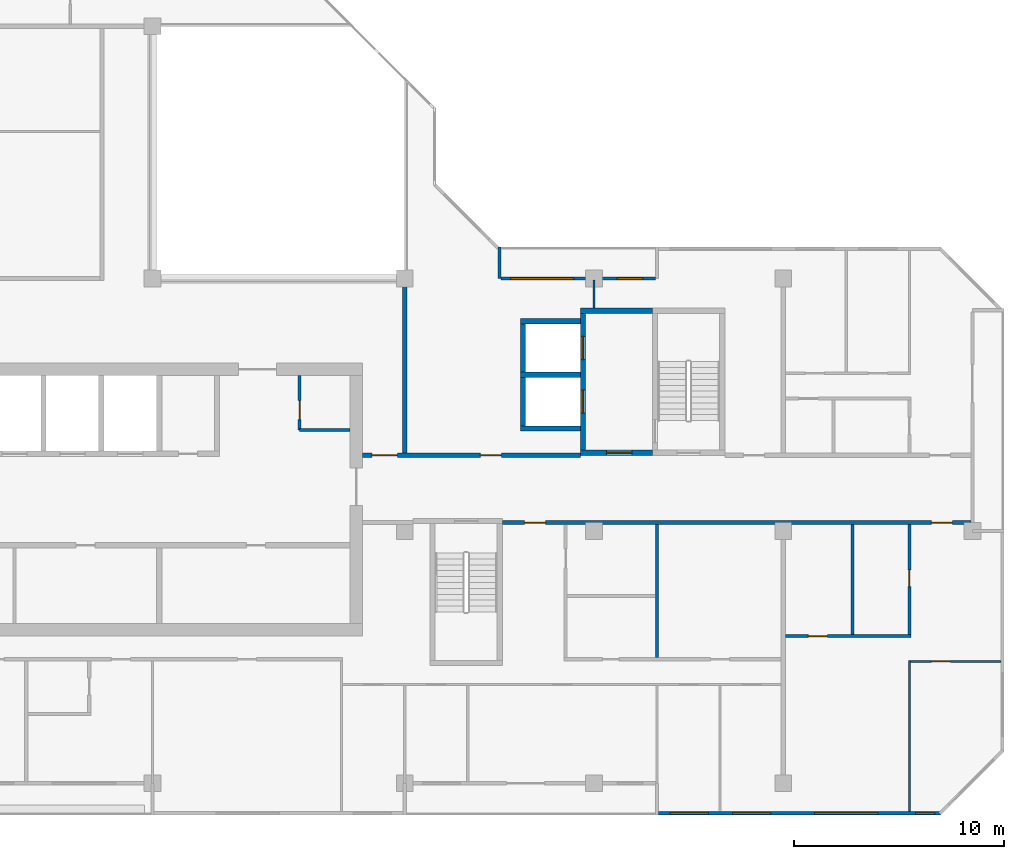
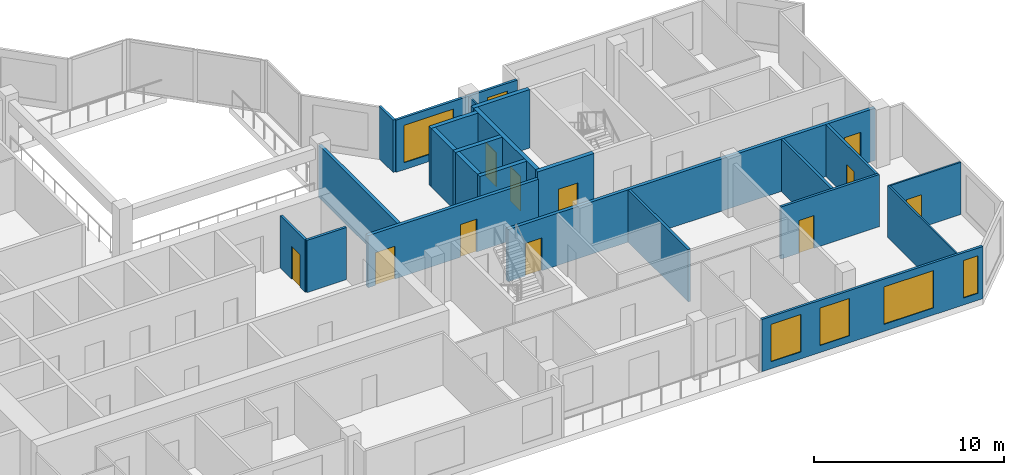
# One storey, part 7 of 13: 23 walls, 11 doors, 6 windows, 17 openings.
"""IFC4 building model written with IfcOpenShell, lengths in metres."""

from ifc_helpers import new_model, si_unit, direction, frame, frame_2d, origin, place, context, subcontext, project, spatial, rectangle, extrude, material, layer, layer_set, type_object, element, fill, save


model = new_model("IFC4")

# Units and contexts
model_context = context("Model", 3, precision=1e-05, world=origin(), true_north=direction((0.0, 1.0)))
body_context = subcontext(model_context, "Body", "Model", "MODEL_VIEW")
ifc_project = project(units=[si_unit("LENGTHUNIT", "METRE"), si_unit("AREAUNIT", "SQUARE_METRE"), si_unit("VOLUMEUNIT", "CUBIC_METRE"), si_unit("PLANEANGLEUNIT", "RADIAN"), si_unit("MASSUNIT", "GRAM", prefix="KILO")], contexts=[model_context])

# Site, building, storey
site_placement = place(None, origin())
site = spatial("IfcSite", under=ifc_project, at=site_placement, CompositionType="ELEMENT")
building_placement = place(site_placement, origin())
building = spatial("IfcBuilding", under=site, at=building_placement, Name="Chenar Terraces", CompositionType="ELEMENT")
storey_placement = place(building_placement, frame((0.0, 0.0, 314.64990234375)))
storey = spatial("IfcBuildingStorey", under=building, at=storey_placement, Name="L74", CompositionType="ELEMENT", Elevation=314.64990234375)

# Wall, opening, door
ifc_material_1 = material(Name="Gypsum board on steel studs", Category="steel")
ifc_layer_1 = layer(ifc_material_1, 0.14990234375)
ifc_layer_set_1 = layer_set([ifc_layer_1], Name="Gypsum board on steel studs")
wall_type_1 = type_object("IfcWallType", Name="Core partition 150 gypsum board", PredefinedType="PARTITIONING", material=ifc_layer_set_1)
wall_1_placement = place(storey_placement, frame((31.0, 16.800048828125, 0.0), z_axis=(0.0, 0.0, 1.0), x_axis=(0.0, 1.0, 0.0)))
wall_1 = element("IfcWall", 1, at=wall_1_placement, inside=storey, type_object=wall_type_1, Name="Core partition CP1 vestibule room west wall", PredefinedType="PARTITIONING", context=body_context, shape_type="SweptSolid", body=[
    extrude(rectangle(XDim=2.599853515625, YDim=0.14990234375, at=frame_2d((1.2998046875, 0.0))), origin(), (0.0, 0.0, 1.0), 3.35009765625),
])
opening_1_placement = place(wall_1_placement, frame((0.5, 0.0, 0.0)))
opening_1 = element("IfcOpeningElement", 2, at=opening_1_placement, cuts=wall_1, Name="Opening DL74-C16", PredefinedType="OPENING", context=body_context, shape_type="SweptSolid", body=[
    extrude(rectangle(XDim=0.89990234375, YDim=2.10009765625, at=frame_2d((0.449951171875, 1.050048828125))), frame((0.0, 0.0849609375, 0.0), z_axis=(0.0, -1.0, 0.0), x_axis=(1.0, 0.0, 0.0)), (0.0, 0.0, 1.0), 0.169921875),
])
ifc_material_2 = material(Name="Steel-framed fire-resisting door leaf", Category="steel")
door_type_1 = type_object("IfcDoorType", Name="Riser fire door FD60 900 x 2100", OperationType="SINGLE_SWING_LEFT", PredefinedType="DOOR", material=ifc_material_2)
door_1_placement = place(opening_1_placement, frame((0.89990234375, 0.0, 0.0), z_axis=(0.0, 0.0, 1.0), x_axis=(-1.0, 0.0, 0.0)))
door_1 = element("IfcDoor", 3, at=door_1_placement, inside=storey, type_object=door_type_1, Name="Core room door DL74-C16", OperationType="SINGLE_SWING_RIGHT", OverallHeight=2.10009765625, OverallWidth=0.89990234375, PredefinedType="DOOR", context=body_context, shape_type="SweptSolid", body=[
    extrude(rectangle(XDim=0.89990234375, YDim=2.10009765625, at=frame_2d((0.449951171875, 1.050048828125))), frame((0.0, 0.02490234375, 0.0), z_axis=(0.0, -1.0, 0.0), x_axis=(1.0, 0.0, 0.0)), (0.0, 0.0, 1.0), 0.050048828125),
])
fill(opening_1, door_1)

# Wall
wall_2_placement = place(storey_placement, frame((31.0, 16.800048828125, 0.0), z_axis=(0.0, 0.0, 1.0), x_axis=(1.0, 0.0, 0.0)))
element("IfcWall", 4, at=wall_2_placement, inside=storey, type_object=wall_type_1, Name="Core partition CP1 vestibule room south wall", PredefinedType="PARTITIONING", context=body_context, shape_type="SweptSolid", body=[
    extrude(rectangle(XDim=2.39990234375, YDim=0.14990234375, at=frame_2d((1.199951171875, 0.0))), origin(), (0.0, 0.0, 1.0), 3.35009765625),
])

# Wall, opening, door
ifc_material_3 = material(Name="Concrete C50/60", Category="concrete")
ifc_layer_2 = layer(ifc_material_3, 0.25)
ifc_layer_set_2 = layer_set([ifc_layer_2], Name="Concrete C50/60")
wall_type_2 = type_object("IfcWallType", Name="Core wall 250 Concrete C50/60", PredefinedType="SHEAR", material=ifc_layer_set_2)
wall_3_placement = place(storey_placement, frame((44.35009765625, 15.72509765625, 0.0), z_axis=(0.0, 0.0, 1.0), x_axis=(1.0, 0.0, 0.0)))
wall_3 = element("IfcWall", 5, at=wall_3_placement, inside=storey, type_object=wall_type_2, Name="Core wall F3_LS L74", PredefinedType="SHEAR", context=body_context, shape_type="SweptSolid", body=[
    extrude(rectangle(XDim=3.4248046875, YDim=0.25, at=frame_2d((1.71240234375, 0.0))), origin(), (0.0, 0.0, 1.0), 3.75),
])
opening_2_placement = place(wall_3_placement, frame((1.25, 0.0, 0.0)))
opening_2 = element("IfcOpeningElement", 6, at=opening_2_placement, cuts=wall_3, Name="Opening DL74-C10", PredefinedType="OPENING", context=body_context, shape_type="SweptSolid", body=[
    extrude(rectangle(XDim=1.199951171875, YDim=2.199951171875, at=frame_2d((0.60009765625, 1.10009765625))), frame((0.0, 0.135009765625, 0.0), z_axis=(0.0, -1.0, 0.0), x_axis=(1.0, 0.0, 0.0)), (0.0, 0.0, 1.0), 0.27001953125),
])
ifc_material_4 = material(Name="Steel-framed fire-resisting door leaf", Category="steel")
door_type_2 = type_object("IfcDoorType", Name="Lobby fire door FD60 1200 x 2200", OperationType="SINGLE_SWING_LEFT", PredefinedType="DOOR", material=ifc_material_4)
door_2_placement = place(opening_2_placement, origin())
door_2 = element("IfcDoor", 7, at=door_2_placement, inside=storey, type_object=door_type_2, Name="Core door DL74-C10", OperationType="SINGLE_SWING_RIGHT", OverallHeight=2.199951171875, OverallWidth=1.199951171875, PredefinedType="DOOR", context=body_context, shape_type="SweptSolid", body=[
    extrude(rectangle(XDim=1.199951171875, YDim=2.199951171875, at=frame_2d((0.60009765625, 1.10009765625))), frame((0.0, 0.02490234375, 0.0), z_axis=(0.0, -1.0, 0.0), x_axis=(1.0, 0.0, 0.0)), (0.0, 0.0, 1.0), 0.050048828125),
])
fill(opening_2, door_2)

# Wall
wall_4_placement = place(storey_placement, frame((44.35009765625, 22.47509765625, 0.0), z_axis=(0.0, 0.0, 1.0), x_axis=(1.0, 0.0, 0.0)))
element("IfcWall", 8, at=wall_4_placement, inside=storey, type_object=wall_type_2, Name="Core wall F3_LN L74", PredefinedType="SHEAR", context=body_context, shape_type="SweptSolid", body=[
    extrude(rectangle(XDim=3.4248046875, YDim=0.25, at=frame_2d((1.71240234375, 0.0))), origin(), (0.0, 0.0, 1.0), 3.75),
])

# Wall, openings, doors
wall_5_placement = place(storey_placement, frame((44.47509765625, 15.85009765625, 0.0), z_axis=(0.0, 0.0, 1.0), x_axis=(0.0, 1.0, 0.0)))
wall_5 = element("IfcWall", 9, at=wall_5_placement, inside=storey, type_object=wall_type_2, Name="Core wall F3_LW L74", PredefinedType="SHEAR", context=body_context, shape_type="SweptSolid", body=[
    extrude(rectangle(XDim=6.5, YDim=0.25, at=frame_2d((3.25, 0.0))), origin(), (0.0, 0.0, 1.0), 3.75),
])
opening_3_placement = place(wall_5_placement, frame((1.75, 0.0, 0.0)))
opening_3 = element("IfcOpeningElement", 10, at=opening_3_placement, cuts=wall_5, Name="Opening DL74-LD8", PredefinedType="OPENING", context=body_context, shape_type="SweptSolid", body=[
    extrude(rectangle(XDim=1.10009765625, YDim=2.199951171875, at=frame_2d((0.550048828125, 1.10009765625))), frame((0.0, 0.135009765625, 0.0), z_axis=(0.0, -1.0, 0.0), x_axis=(1.0, 0.0, 0.0)), (0.0, 0.0, 1.0), 0.27001953125),
])
opening_4_placement = place(wall_5_placement, frame((4.300048828125, 0.0, 0.0)))
opening_4 = element("IfcOpeningElement", 11, at=opening_4_placement, cuts=wall_5, Name="Opening DL74-LD9", PredefinedType="OPENING", context=body_context, shape_type="SweptSolid", body=[
    extrude(rectangle(XDim=1.10009765625, YDim=2.199951171875, at=frame_2d((0.550048828125, 1.10009765625))), frame((0.0, 0.135009765625, 0.0), z_axis=(0.0, -1.0, 0.0), x_axis=(1.0, 0.0, 0.0)), (0.0, 0.0, 1.0), 0.27001953125),
])
ifc_material_5 = material(Name="Stainless steel", Category="steel")
door_type_3 = type_object("IfcDoorType", Name="Lift landing door 1100 x 2200 sliding", OperationType="DOUBLE_DOOR_SLIDING", PredefinedType="DOOR", material=ifc_material_5)
door_3_placement = place(opening_3_placement, origin())
door_3 = element("IfcDoor", 12, at=door_3_placement, inside=storey, type_object=door_type_3, Name="Landing door F3", OperationType="DOUBLE_DOOR_SLIDING", OverallHeight=2.199951171875, OverallWidth=1.10009765625, PredefinedType="DOOR", context=body_context, shape_type="SweptSolid", body=[
    extrude(rectangle(XDim=1.10009765625, YDim=2.199951171875, at=frame_2d((0.550048828125, 1.10009765625))), frame((0.0, 0.02490234375, 0.0), z_axis=(0.0, -1.0, 0.0), x_axis=(1.0, 0.0, 0.0)), (0.0, 0.0, 1.0), 0.050048828125),
])
fill(opening_3, door_3)
door_4_placement = place(opening_4_placement, origin())
door_4 = element("IfcDoor", 13, at=door_4_placement, inside=storey, type_object=door_type_3, Name="Landing door F4", OperationType="DOUBLE_DOOR_SLIDING", OverallHeight=2.199951171875, OverallWidth=1.10009765625, PredefinedType="DOOR", context=body_context, shape_type="SweptSolid", body=[
    extrude(rectangle(XDim=1.10009765625, YDim=2.199951171875, at=frame_2d((0.550048828125, 1.10009765625))), frame((0.0, 0.02490234375, 0.0), z_axis=(0.0, -1.0, 0.0), x_axis=(1.0, 0.0, 0.0)), (0.0, 0.0, 1.0), 0.050048828125),
])
fill(opening_4, door_4)

# Walls
for number, where, z_axis, x_axis, name in (
    (14, (41.5, 16.875, 0.0), (0.0, 0.0, 1.0), (1.0, 0.0, 0.0), "Core wall F3_SS L74"),
    (15, (41.5, 19.425048828125, 0.0), (0.0, 0.0, 1.0), (1.0, 0.0, 0.0), "Core wall F3_SM L74"),
    (16, (41.5, 21.97509765625, 0.0), (0.0, 0.0, 1.0), (1.0, 0.0, 0.0), "Core wall F4_SN L74"),
):
    element("IfcWall", number, at=place(storey_placement, frame(where, z_axis=z_axis, x_axis=x_axis)), inside=storey, type_object=wall_type_2, Name=name, PredefinedType="SHEAR", context=body_context, shape_type="SweptSolid", body=[
        extrude(rectangle(XDim=2.85009765625, YDim=0.25, at=frame_2d((1.425048828125, 0.0))), origin(), (0.0, 0.0, 1.0), 3.75),
    ])
for number, where, z_axis, x_axis, name in (
    (17, (41.625, 17.0, 0.0), (0.0, 0.0, 1.0), (0.0, 1.0, 0.0), "Core wall F3_SW L74"),
    (18, (41.625, 19.550048828125, 0.0), (0.0, 0.0, 1.0), (0.0, 1.0, 0.0), "Core wall F4_SW L74"),
):
    element("IfcWall", number, at=place(storey_placement, frame(where, z_axis=z_axis, x_axis=x_axis)), inside=storey, type_object=wall_type_2, Name=name, PredefinedType="SHEAR", context=body_context, shape_type="SweptSolid", body=[
        extrude(rectangle(XDim=2.300048828125, YDim=0.25, at=frame_2d((1.14990234375, 0.0))), origin(), (0.0, 0.0, 1.0), 3.75),
    ])

# Wall, openings, doors
ifc_material_6 = material(Name="Gypsum board on steel studs with fire boards", Category="steel")
ifc_layer_3 = layer(ifc_material_6, 0.199951171875)
ifc_layer_set_3 = layer_set([ifc_layer_3], Name="Gypsum board on steel studs with fire boards")
wall_type_3 = type_object("IfcWallType", Name="Corridor wall 200", PredefinedType="PARTITIONING", material=ifc_layer_set_3)
wall_6_placement = place(storey_placement, frame((34.0, 15.60009765625, 0.0), z_axis=(0.0, 0.0, 1.0), x_axis=(1.0, 0.0, 0.0)))
wall_6 = element("IfcWall", 19, at=wall_6_placement, inside=storey, type_object=wall_type_3, Name="Partition L74-056", PredefinedType="PARTITIONING", context=body_context, shape_type="SweptSolid", body=[
    extrude(rectangle(XDim=10.35009765625, YDim=0.199951171875, at=frame_2d((5.175048828125, 0.0))), origin(), (0.0, 0.0, 1.0), 3.35009765625),
])
opening_5_placement = place(wall_6_placement, frame((5.60009765625, 0.0, 0.0)))
opening_5 = element("IfcOpeningElement", 20, at=opening_5_placement, cuts=wall_6, Name="Opening DL74-3", PredefinedType="OPENING", context=body_context, shape_type="SweptSolid", body=[
    extrude(rectangle(XDim=1.0, YDim=2.10009765625, at=frame_2d((0.5, 1.050048828125))), frame((0.0, 0.10986328125, 0.0), z_axis=(0.0, -1.0, 0.0), x_axis=(1.0, 0.0, 0.0)), (0.0, 0.0, 1.0), 0.219970703125),
])
opening_6_placement = place(wall_6_placement, frame((0.449951171875, 0.0, 0.0)))
opening_6 = element("IfcOpeningElement", 21, at=opening_6_placement, cuts=wall_6, Name="Opening DL74-29", PredefinedType="OPENING", context=body_context, shape_type="SweptSolid", body=[
    extrude(rectangle(XDim=1.199951171875, YDim=2.10009765625, at=frame_2d((0.60009765625, 1.050048828125))), frame((0.0, 0.10986328125, 0.0), z_axis=(0.0, -1.0, 0.0), x_axis=(1.0, 0.0, 0.0)), (0.0, 0.0, 1.0), 0.219970703125),
])
ifc_material_7 = material(Name="Steel-framed fire-resisting door leaf", Category="steel")
door_type_4 = type_object("IfcDoorType", Name="Fire door FD60 1000 x 2100", OperationType="SINGLE_SWING_LEFT", PredefinedType="DOOR", material=ifc_material_7)
door_5_placement = place(opening_5_placement, origin())
door_5 = element("IfcDoor", 22, at=door_5_placement, inside=storey, type_object=door_type_4, Name="Door DL74-3", OperationType="SINGLE_SWING_RIGHT", OverallHeight=2.10009765625, OverallWidth=1.0, PredefinedType="DOOR", context=body_context, shape_type="SweptSolid", body=[
    extrude(rectangle(XDim=1.0, YDim=2.10009765625, at=frame_2d((0.5, 1.050048828125))), frame((0.0, 0.02490234375, 0.0), z_axis=(0.0, -1.0, 0.0), x_axis=(1.0, 0.0, 0.0)), (0.0, 0.0, 1.0), 0.050048828125),
])
fill(opening_5, door_5)
ifc_material_8 = material(Name="Steel-framed fire-resisting door leaf", Category="steel")
door_type_5 = type_object("IfcDoorType", Name="Fire door FD60 1200 x 2100", OperationType="SINGLE_SWING_LEFT", PredefinedType="DOOR", material=ifc_material_8)
door_6_placement = place(opening_6_placement, origin())
door_6 = element("IfcDoor", 23, at=door_6_placement, inside=storey, type_object=door_type_5, Name="Door DL74-29", OperationType="SINGLE_SWING_RIGHT", OverallHeight=2.10009765625, OverallWidth=1.199951171875, PredefinedType="DOOR", context=body_context, shape_type="SweptSolid", body=[
    extrude(rectangle(XDim=1.199951171875, YDim=2.10009765625, at=frame_2d((0.60009765625, 1.050048828125))), frame((0.0, 0.02490234375, 0.0), z_axis=(0.0, -1.0, 0.0), x_axis=(1.0, 0.0, 0.0)), (0.0, 0.0, 1.0), 0.050048828125),
])
fill(opening_6, door_6)

# Wall
wall_7_placement = place(storey_placement, frame((36.0, 15.699951171875, 0.0), z_axis=(0.0, 0.0, 1.0), x_axis=(0.0, 1.0, 0.0)))
element("IfcWall", 24, at=wall_7_placement, inside=storey, type_object=wall_type_3, Name="Partition L74-058", PredefinedType="PARTITIONING", context=body_context, shape_type="SweptSolid", body=[
    extrude(rectangle(XDim=8.300048828125, YDim=0.199951171875, at=frame_2d((4.14990234375, 0.0))), origin(), (0.0, 0.0, 1.0), 3.35009765625),
])

# Wall, openings, doors
wall_8_placement = place(storey_placement, frame((40.64990234375, 12.39990234375, 0.0), z_axis=(0.0, 0.0, 1.0), x_axis=(1.0, 0.0, 0.0)))
wall_8 = element("IfcWall", 25, at=wall_8_placement, inside=storey, type_object=wall_type_3, Name="Partition L74-060", PredefinedType="PARTITIONING", context=body_context, shape_type="SweptSolid", body=[
    extrude(rectangle(XDim=22.276123046875, YDim=0.199951171875, at=frame_2d((11.13818359375, 0.0))), origin(), (0.0, 0.0, 1.0), 3.35009765625),
])
opening_7_placement = place(wall_8_placement, frame((20.39990234375, 0.0, 0.0)))
opening_7 = element("IfcOpeningElement", 26, at=opening_7_placement, cuts=wall_8, Name="Opening DL74-12", PredefinedType="OPENING", context=body_context, shape_type="SweptSolid", body=[
    extrude(rectangle(XDim=1.0, YDim=2.10009765625, at=frame_2d((0.5, 1.050048828125))), frame((0.0, 0.10986328125, 0.0), z_axis=(0.0, -1.0, 0.0), x_axis=(1.0, 0.0, 0.0)), (0.0, 0.0, 1.0), 0.219970703125),
])
opening_8_placement = place(wall_8_placement, frame((1.050048828125, 0.0, 0.0)))
opening_8 = element("IfcOpeningElement", 27, at=opening_8_placement, cuts=wall_8, Name="Opening DL74-45", PredefinedType="OPENING", context=body_context, shape_type="SweptSolid", body=[
    extrude(rectangle(XDim=1.0, YDim=2.10009765625, at=frame_2d((0.5, 1.050048828125))), frame((0.0, 0.10986328125, 0.0), z_axis=(0.0, -1.0, 0.0), x_axis=(1.0, 0.0, 0.0)), (0.0, 0.0, 1.0), 0.219970703125),
])
ifc_material_9 = material(Name="Steel-framed fire-resisting door leaf", Category="steel")
door_type_6 = type_object("IfcDoorType", Name="Fire door FD30S 1000 x 2100", OperationType="SINGLE_SWING_LEFT", PredefinedType="DOOR", material=ifc_material_9)
door_7_placement = place(opening_7_placement, frame((1.0, 0.0, 0.0), z_axis=(0.0, 0.0, 1.0), x_axis=(-1.0, 0.0, 0.0)))
door_7 = element("IfcDoor", 28, at=door_7_placement, inside=storey, type_object=door_type_6, Name="Door DL74-12", OperationType="SINGLE_SWING_LEFT", OverallHeight=2.10009765625, OverallWidth=1.0, PredefinedType="DOOR", context=body_context, shape_type="SweptSolid", body=[
    extrude(rectangle(XDim=1.0, YDim=2.10009765625, at=frame_2d((0.5, 1.050048828125))), frame((0.0, 0.02490234375, 0.0), z_axis=(0.0, -1.0, 0.0), x_axis=(1.0, 0.0, 0.0)), (0.0, 0.0, 1.0), 0.050048828125),
])
fill(opening_7, door_7)
door_8_placement = place(opening_8_placement, origin())
door_8 = element("IfcDoor", 29, at=door_8_placement, inside=storey, type_object=door_type_6, Name="Door DL74-45", OperationType="SINGLE_SWING_LEFT", OverallHeight=2.10009765625, OverallWidth=1.0, PredefinedType="DOOR", context=body_context, shape_type="SweptSolid", body=[
    extrude(rectangle(XDim=1.0, YDim=2.10009765625, at=frame_2d((0.5, 1.050048828125))), frame((0.0, 0.02490234375, 0.0), z_axis=(0.0, -1.0, 0.0), x_axis=(1.0, 0.0, 0.0)), (0.0, 0.0, 1.0), 0.050048828125),
])
fill(opening_8, door_8)

# Wall, openings, windows
ifc_material_10 = material(Name="Aluminium framed glazing", Category="aluminium")
ifc_layer_4 = layer(ifc_material_10, 0.14990234375)
ifc_layer_set_4 = layer_set([ifc_layer_4], Name="Aluminium framed glazing")
wall_type_4 = type_object("IfcWallType", Name="Glazed flush facade wall 150", PredefinedType="SOLIDWALL", material=ifc_layer_set_4)
wall_9_placement = place(storey_placement, frame((48.074951171875, -1.425048828125, 0.0), z_axis=(0.0, 0.0, 1.0), x_axis=(1.0, 0.0, 0.0)))
wall_9 = element("IfcWall", 30, at=wall_9_placement, inside=storey, type_object=wall_type_4, Name="Glazed flush facade wall", PredefinedType="SOLIDWALL", context=body_context, shape_type="SweptSolid", body=[
    extrude(rectangle(XDim=13.425048828125, YDim=0.14990234375, at=frame_2d((6.71240234375, 0.0))), origin(), (0.0, 0.0, 1.0), 3.35009765625),
])
opening_9_placement = place(wall_9_placement, frame((0.5625, 0.0, 0.449951171875)))
opening_9 = element("IfcOpeningElement", 31, at=opening_9_placement, cuts=wall_9, Name="Opening W180x240", PredefinedType="OPENING", context=body_context, shape_type="SweptSolid", body=[
    extrude(rectangle(XDim=1.800048828125, YDim=2.39990234375, at=frame_2d((0.89990234375, 1.199951171875))), frame((0.0, 0.0849609375, 0.0), z_axis=(0.0, -1.0, 0.0), x_axis=(1.0, 0.0, 0.0)), (0.0, 0.0, 1.0), 0.169921875),
])
opening_10_placement = place(wall_9_placement, frame((3.52490234375, 0.0, 0.449951171875)))
opening_10 = element("IfcOpeningElement", 32, at=opening_10_placement, cuts=wall_9, Name="Opening W180x240", PredefinedType="OPENING", context=body_context, shape_type="SweptSolid", body=[
    extrude(rectangle(XDim=1.800048828125, YDim=2.39990234375, at=frame_2d((0.89990234375, 1.199951171875))), frame((0.0, 0.0849609375, 0.0), z_axis=(0.0, -1.0, 0.0), x_axis=(1.0, 0.0, 0.0)), (0.0, 0.0, 1.0), 0.169921875),
])
opening_11_placement = place(wall_9_placement, frame((7.425048828125, 0.0, 0.449951171875)))
opening_11 = element("IfcOpeningElement", 33, at=opening_11_placement, cuts=wall_9, Name="Opening W300x240", PredefinedType="OPENING", context=body_context, shape_type="SweptSolid", body=[
    extrude(rectangle(XDim=3.0, YDim=2.39990234375, at=frame_2d((1.5, 1.199951171875))), frame((0.0, 0.0849609375, 0.0), z_axis=(0.0, -1.0, 0.0), x_axis=(1.0, 0.0, 0.0)), (0.0, 0.0, 1.0), 0.169921875),
])
opening_12_placement = place(wall_9_placement, frame((12.22509765625, 0.0, 0.449951171875)))
opening_12 = element("IfcOpeningElement", 34, at=opening_12_placement, cuts=wall_9, Name="Opening W90x240", PredefinedType="OPENING", context=body_context, shape_type="SweptSolid", body=[
    extrude(rectangle(XDim=0.89990234375, YDim=2.39990234375, at=frame_2d((0.449951171875, 1.199951171875))), frame((0.0, 0.0849609375, 0.0), z_axis=(0.0, -1.0, 0.0), x_axis=(1.0, 0.0, 0.0)), (0.0, 0.0, 1.0), 0.169921875),
])
ifc_material_11 = material(Name="Low emissivity double glazing, aluminium frame", Category="aluminium")
window_type_1 = type_object("IfcWindowType", Name="Fixed light 1800 x 2400", PartitioningType="SINGLE_PANEL", PredefinedType="WINDOW", material=ifc_material_11)
window_1_placement = place(opening_9_placement, origin())
window_1 = element("IfcWindow", 35, at=window_1_placement, inside=storey, type_object=window_type_1, Name="Window", OverallHeight=2.39990234375, OverallWidth=1.800048828125, PartitioningType="SINGLE_PANEL", PredefinedType="WINDOW", context=body_context, shape_type="SweptSolid", body=[
    extrude(rectangle(XDim=1.800048828125, YDim=2.39990234375, at=frame_2d((0.89990234375, 1.199951171875))), frame((0.0, 0.030029296875, 0.0), z_axis=(0.0, -1.0, 0.0), x_axis=(1.0, 0.0, 0.0)), (0.0, 0.0, 1.0), 0.06005859375),
])
fill(opening_9, window_1)
window_2_placement = place(opening_10_placement, origin())
window_2 = element("IfcWindow", 36, at=window_2_placement, inside=storey, type_object=window_type_1, Name="Window", OverallHeight=2.39990234375, OverallWidth=1.800048828125, PartitioningType="SINGLE_PANEL", PredefinedType="WINDOW", context=body_context, shape_type="SweptSolid", body=[
    extrude(rectangle(XDim=1.800048828125, YDim=2.39990234375, at=frame_2d((0.89990234375, 1.199951171875))), frame((0.0, 0.030029296875, 0.0), z_axis=(0.0, -1.0, 0.0), x_axis=(1.0, 0.0, 0.0)), (0.0, 0.0, 1.0), 0.06005859375),
])
fill(opening_10, window_2)
ifc_material_12 = material(Name="Low emissivity double glazing, aluminium frame", Category="aluminium")
window_type_2 = type_object("IfcWindowType", Name="Fixed light 3000 x 2400", PartitioningType="SINGLE_PANEL", PredefinedType="WINDOW", material=ifc_material_12)
window_3_placement = place(opening_11_placement, origin())
window_3 = element("IfcWindow", 37, at=window_3_placement, inside=storey, type_object=window_type_2, Name="Window", OverallHeight=2.39990234375, OverallWidth=3.0, PartitioningType="SINGLE_PANEL", PredefinedType="WINDOW", context=body_context, shape_type="SweptSolid", body=[
    extrude(rectangle(XDim=3.0, YDim=2.39990234375, at=frame_2d((1.5, 1.199951171875))), frame((0.0, 0.030029296875, 0.0), z_axis=(0.0, -1.0, 0.0), x_axis=(1.0, 0.0, 0.0)), (0.0, 0.0, 1.0), 0.06005859375),
])
fill(opening_11, window_3)
ifc_material_13 = material(Name="Low emissivity double glazing, aluminium frame", Category="aluminium")
window_type_3 = type_object("IfcWindowType", Name="Fixed light 900 x 2400", PartitioningType="SINGLE_PANEL", PredefinedType="WINDOW", material=ifc_material_13)
window_4_placement = place(opening_12_placement, origin())
window_4 = element("IfcWindow", 38, at=window_4_placement, inside=storey, type_object=window_type_3, Name="Window", OverallHeight=2.39990234375, OverallWidth=0.89990234375, PartitioningType="SINGLE_PANEL", PredefinedType="WINDOW", context=body_context, shape_type="SweptSolid", body=[
    extrude(rectangle(XDim=0.89990234375, YDim=2.39990234375, at=frame_2d((0.449951171875, 1.199951171875))), frame((0.0, 0.030029296875, 0.0), z_axis=(0.0, -1.0, 0.0), x_axis=(1.0, 0.0, 0.0)), (0.0, 0.0, 1.0), 0.06005859375),
])
fill(opening_12, window_4)

ifc_material_14 = material(Name="Aluminium framed glazing", Category="aluminium")
ifc_layer_5 = layer(ifc_material_14, 0.14990234375)
ifc_layer_set_5 = layer_set([ifc_layer_5], Name="Aluminium framed glazing")
wall_type_5 = type_object("IfcWallType", Name="Glazed loggia back wall 150", PredefinedType="SOLIDWALL", material=ifc_layer_set_5)
wall_10_placement = place(storey_placement, frame((47.925048828125, 24.0, 0.0), z_axis=(0.0, 0.0, 1.0), x_axis=(-1.0, 0.0, 0.0)))
wall_10 = element("IfcWall", 39, at=wall_10_placement, inside=storey, type_object=wall_type_5, Name="Glazed loggia back wall", PredefinedType="SOLIDWALL", context=body_context, shape_type="SweptSolid", body=[
    extrude(rectangle(XDim=7.35009765625, YDim=0.14990234375, at=frame_2d((3.675048828125, 0.0))), origin(), (0.0, 0.0, 1.0), 3.35009765625),
])
opening_13_placement = place(wall_10_placement, frame((0.612548828125, 0.0, 0.449951171875)))
opening_13 = element("IfcOpeningElement", 40, at=opening_13_placement, cuts=wall_10, Name="Opening W120x240", PredefinedType="OPENING", context=body_context, shape_type="SweptSolid", body=[
    extrude(rectangle(XDim=1.199951171875, YDim=2.39990234375, at=frame_2d((0.60009765625, 1.199951171875))), frame((0.0, 0.0849609375, 0.0), z_axis=(0.0, -1.0, 0.0), x_axis=(1.0, 0.0, 0.0)), (0.0, 0.0, 1.0), 0.169921875),
])
opening_14_placement = place(wall_10_placement, frame((3.887451171875, 0.0, 0.449951171875)))
opening_14 = element("IfcOpeningElement", 41, at=opening_14_placement, cuts=wall_10, Name="Opening W300x240", PredefinedType="OPENING", context=body_context, shape_type="SweptSolid", body=[
    extrude(rectangle(XDim=3.0, YDim=2.39990234375, at=frame_2d((1.5, 1.199951171875))), frame((0.0, 0.0849609375, 0.0), z_axis=(0.0, -1.0, 0.0), x_axis=(1.0, 0.0, 0.0)), (0.0, 0.0, 1.0), 0.169921875),
])
ifc_material_15 = material(Name="Low emissivity double glazing, aluminium frame", Category="aluminium")
window_type_4 = type_object("IfcWindowType", Name="Fixed light 1200 x 2400", PartitioningType="SINGLE_PANEL", PredefinedType="WINDOW", material=ifc_material_15)
window_5_placement = place(opening_13_placement, origin())
window_5 = element("IfcWindow", 42, at=window_5_placement, inside=storey, type_object=window_type_4, Name="Window", OverallHeight=2.39990234375, OverallWidth=1.199951171875, PartitioningType="SINGLE_PANEL", PredefinedType="WINDOW", context=body_context, shape_type="SweptSolid", body=[
    extrude(rectangle(XDim=1.199951171875, YDim=2.39990234375, at=frame_2d((0.60009765625, 1.199951171875))), frame((0.0, 0.030029296875, 0.0), z_axis=(0.0, -1.0, 0.0), x_axis=(1.0, 0.0, 0.0)), (0.0, 0.0, 1.0), 0.06005859375),
])
fill(opening_13, window_5)
window_6_placement = place(opening_14_placement, origin())
window_6 = element("IfcWindow", 43, at=window_6_placement, inside=storey, type_object=window_type_2, Name="Window", OverallHeight=2.39990234375, OverallWidth=3.0, PartitioningType="SINGLE_PANEL", PredefinedType="WINDOW", context=body_context, shape_type="SweptSolid", body=[
    extrude(rectangle(XDim=3.0, YDim=2.39990234375, at=frame_2d((1.5, 1.199951171875))), frame((0.0, 0.030029296875, 0.0), z_axis=(0.0, -1.0, 0.0), x_axis=(1.0, 0.0, 0.0)), (0.0, 0.0, 1.0), 0.06005859375),
])
fill(opening_14, window_6)

# Walls
ifc_material_16 = material(Name="Gypsum board on steel studs", Category="steel")
ifc_layer_6 = layer(ifc_material_16, 0.10009765625)
ifc_layer_set_6 = layer_set([ifc_layer_6], Name="Gypsum board on steel studs")
wall_type_6 = type_object("IfcWallType", Name="Gypsum partition 100", PredefinedType="PARTITIONING", material=ifc_layer_set_6)
wall_11_placement = place(storey_placement, frame((45.0, 22.60009765625, 0.0), z_axis=(0.0, 0.0, 1.0), x_axis=(0.0, 1.0, 0.0)))
element("IfcWall", 44, at=wall_11_placement, inside=storey, type_object=wall_type_6, Name="Partition L74-064", PredefinedType="PARTITIONING", context=body_context, shape_type="SweptSolid", body=[
    extrude(rectangle(XDim=1.325927734375, YDim=0.10009765625, at=frame_2d((0.6630859375, 0.0))), origin(), (0.0, 0.0, 1.0), 3.35009765625),
])
wall_12_placement = place(storey_placement, frame((60.0, -1.35009765625, 0.0), z_axis=(0.0, 0.0, 1.0), x_axis=(0.0, 1.0, 0.0)))
element("IfcWall", 45, at=wall_12_placement, inside=storey, type_object=wall_type_6, Name="Partition L74-077", PredefinedType="PARTITIONING", context=body_context, shape_type="SweptSolid", body=[
    extrude(rectangle(XDim=7.2001953125, YDim=0.10009765625, at=frame_2d((3.60009765625, 0.0))), origin(), (0.0, 0.0, 1.0), 3.35009765625),
])

# Wall, opening, door
wall_13_placement = place(storey_placement, frame((60.050048828125, 5.800048828125, 0.0), z_axis=(0.0, 0.0, 1.0), x_axis=(1.0, 0.0, 0.0)))
wall_13 = element("IfcWall", 46, at=wall_13_placement, inside=storey, type_object=wall_type_6, Name="Partition L74-081", PredefinedType="PARTITIONING", context=body_context, shape_type="SweptSolid", body=[
    extrude(rectangle(XDim=4.300048828125, YDim=0.10009765625, at=frame_2d((2.14990234375, 0.0))), origin(), (0.0, 0.0, 1.0), 3.35009765625),
])
opening_15_placement = place(wall_13_placement, frame((1.0, 0.0, 0.0)))
opening_15 = element("IfcOpeningElement", 47, at=opening_15_placement, cuts=wall_13, Name="Opening DL74-10", PredefinedType="OPENING", context=body_context, shape_type="SweptSolid", body=[
    extrude(rectangle(XDim=0.89990234375, YDim=2.10009765625, at=frame_2d((0.449951171875, 1.050048828125))), frame((0.0, 0.06005859375, 0.0), z_axis=(0.0, -1.0, 0.0), x_axis=(1.0, 0.0, 0.0)), (0.0, 0.0, 1.0), 0.1201171875),
])
ifc_material_17 = material(Name="Veneered timber door leaf", Category="wood")
door_type_7 = type_object("IfcDoorType", Name="Door 900 x 2100", OperationType="SINGLE_SWING_LEFT", PredefinedType="DOOR", material=ifc_material_17)
door_9_placement = place(opening_15_placement, frame((0.89990234375, 0.0, 0.0), z_axis=(0.0, 0.0, 1.0), x_axis=(-1.0, 0.0, 0.0)))
door_9 = element("IfcDoor", 48, at=door_9_placement, inside=storey, type_object=door_type_7, Name="Door DL74-10", OperationType="SINGLE_SWING_RIGHT", OverallHeight=2.10009765625, OverallWidth=0.89990234375, PredefinedType="DOOR", context=body_context, shape_type="SweptSolid", body=[
    extrude(rectangle(XDim=0.89990234375, YDim=2.10009765625, at=frame_2d((0.449951171875, 1.050048828125))), frame((0.0, 0.02490234375, 0.0), z_axis=(0.0, -1.0, 0.0), x_axis=(1.0, 0.0, 0.0)), (0.0, 0.0, 1.0), 0.050048828125),
])
fill(opening_15, door_9)

# Walls
ifc_material_18 = material(Name="Terracotta cladding on insulated backing", Category="masonry")
ifc_layer_7 = layer(ifc_material_18, 0.14990234375)
ifc_layer_set_7 = layer_set([ifc_layer_7], Name="Terracotta cladding on insulated backing")
wall_type_7 = type_object("IfcWallType", Name="Loggia return wall 150", PredefinedType="SOLIDWALL", material=ifc_layer_set_7)
wall_14_placement = place(storey_placement, frame((40.5, 25.5, 0.0), z_axis=(0.0, 0.0, 1.0), x_axis=(0.0, -1.0, 0.0)))
element("IfcWall", 49, at=wall_14_placement, inside=storey, type_object=wall_type_7, Name="Loggia return wall", PredefinedType="SOLIDWALL", context=body_context, shape_type="SweptSolid", body=[
    extrude(rectangle(XDim=1.5, YDim=0.14990234375, at=frame_2d((0.75, 0.0))), origin(), (0.0, 0.0, 1.0), 3.35009765625),
])
ifc_material_19 = material(Name="Moisture-resistant gypsum board on steel studs", Category="steel")
ifc_layer_8 = layer(ifc_material_19, 0.14990234375)
ifc_layer_set_8 = layer_set([ifc_layer_8], Name="Moisture-resistant gypsum board on steel studs")
wall_type_8 = type_object("IfcWallType", Name="Wet-room partition 150", PredefinedType="PARTITIONING", material=ifc_layer_set_8)
wall_15_placement = place(storey_placement, frame((48.0, 5.97509765625, 0.0), z_axis=(0.0, 0.0, 1.0), x_axis=(0.0, 1.0, 0.0)))
element("IfcWall", 50, at=wall_15_placement, inside=storey, type_object=wall_type_8, Name="Partition L74-066", PredefinedType="PARTITIONING", context=body_context, shape_type="SweptSolid", body=[
    extrude(rectangle(XDim=6.324951171875, YDim=0.14990234375, at=frame_2d((3.16259765625, 0.0))), origin(), (0.0, 0.0, 1.0), 3.35009765625),
])

# Wall, opening, door
wall_16_placement = place(storey_placement, frame((54.10009765625, 7.0, 0.0), z_axis=(0.0, 0.0, 1.0), x_axis=(1.0, 0.0, 0.0)))
wall_16 = element("IfcWall", 51, at=wall_16_placement, inside=storey, type_object=wall_type_8, Name="Partition L74-071", PredefinedType="PARTITIONING", context=body_context, shape_type="SweptSolid", body=[
    extrude(rectangle(XDim=5.974853515625, YDim=0.14990234375, at=frame_2d((2.9873046875, 0.0))), origin(), (0.0, 0.0, 1.0), 3.35009765625),
])
opening_16_placement = place(wall_16_placement, frame((1.10009765625, 0.0, 0.0)))
opening_16 = element("IfcOpeningElement", 52, at=opening_16_placement, cuts=wall_16, Name="Opening DL74-11", PredefinedType="OPENING", context=body_context, shape_type="SweptSolid", body=[
    extrude(rectangle(XDim=0.89990234375, YDim=2.10009765625, at=frame_2d((0.449951171875, 1.050048828125))), frame((0.0, 0.0849609375, 0.0), z_axis=(0.0, -1.0, 0.0), x_axis=(1.0, 0.0, 0.0)), (0.0, 0.0, 1.0), 0.169921875),
])
door_10_placement = place(opening_16_placement, origin())
door_10 = element("IfcDoor", 53, at=door_10_placement, inside=storey, type_object=door_type_7, Name="Door DL74-11", OperationType="SINGLE_SWING_LEFT", OverallHeight=2.10009765625, OverallWidth=0.89990234375, PredefinedType="DOOR", context=body_context, shape_type="SweptSolid", body=[
    extrude(rectangle(XDim=0.89990234375, YDim=2.10009765625, at=frame_2d((0.449951171875, 1.050048828125))), frame((0.0, 0.02490234375, 0.0), z_axis=(0.0, -1.0, 0.0), x_axis=(1.0, 0.0, 0.0)), (0.0, 0.0, 1.0), 0.050048828125),
])
fill(opening_16, door_10)

# Wall
wall_17_placement = place(storey_placement, frame((57.300048828125, 7.074951171875, 0.0), z_axis=(0.0, 0.0, 1.0), x_axis=(0.0, 1.0, 0.0)))
element("IfcWall", 54, at=wall_17_placement, inside=storey, type_object=wall_type_8, Name="Partition L74-076", PredefinedType="PARTITIONING", context=body_context, shape_type="SweptSolid", body=[
    extrude(rectangle(XDim=5.22509765625, YDim=0.14990234375, at=frame_2d((2.612548828125, 0.0))), origin(), (0.0, 0.0, 1.0), 3.35009765625),
])

# Wall, opening, door
wall_18_placement = place(storey_placement, frame((60.0, 7.074951171875, 0.0), z_axis=(0.0, 0.0, 1.0), x_axis=(0.0, 1.0, 0.0)))
wall_18 = element("IfcWall", 55, at=wall_18_placement, inside=storey, type_object=wall_type_8, Name="Partition L74-078", PredefinedType="PARTITIONING", context=body_context, shape_type="SweptSolid", body=[
    extrude(rectangle(XDim=5.22509765625, YDim=0.14990234375, at=frame_2d((2.612548828125, 0.0))), origin(), (0.0, 0.0, 1.0), 3.35009765625),
])
opening_17_placement = place(wall_18_placement, frame((2.27490234375, 0.0, 0.0)))
opening_17 = element("IfcOpeningElement", 56, at=opening_17_placement, cuts=wall_18, Name="Opening DL74-9", PredefinedType="OPENING", context=body_context, shape_type="SweptSolid", body=[
    extrude(rectangle(XDim=0.800048828125, YDim=2.10009765625, at=frame_2d((0.39990234375, 1.050048828125))), frame((0.0, 0.0849609375, 0.0), z_axis=(0.0, -1.0, 0.0), x_axis=(1.0, 0.0, 0.0)), (0.0, 0.0, 1.0), 0.169921875),
])
ifc_material_20 = material(Name="Veneered timber door leaf", Category="wood")
door_type_8 = type_object("IfcDoorType", Name="Door 800 x 2100", OperationType="SINGLE_SWING_LEFT", PredefinedType="DOOR", material=ifc_material_20)
door_11_placement = place(opening_17_placement, origin())
door_11 = element("IfcDoor", 57, at=door_11_placement, inside=storey, type_object=door_type_8, Name="Door DL74-9", OperationType="SINGLE_SWING_LEFT", OverallHeight=2.10009765625, OverallWidth=0.800048828125, PredefinedType="DOOR", context=body_context, shape_type="SweptSolid", body=[
    extrude(rectangle(XDim=0.800048828125, YDim=2.10009765625, at=frame_2d((0.39990234375, 1.050048828125))), frame((0.0, 0.02490234375, 0.0), z_axis=(0.0, -1.0, 0.0), x_axis=(1.0, 0.0, 0.0)), (0.0, 0.0, 1.0), 0.050048828125),
])
fill(opening_17, door_11)

save(model, "model.ifc")
